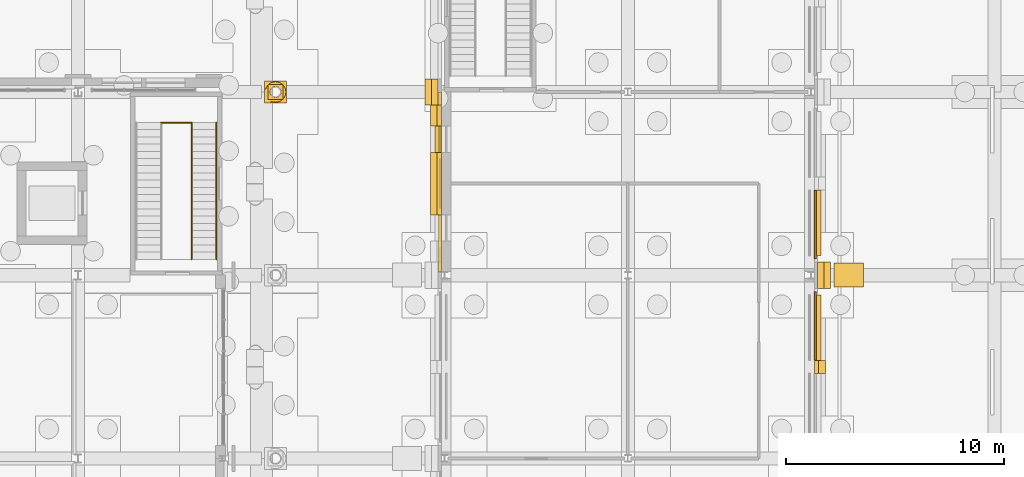
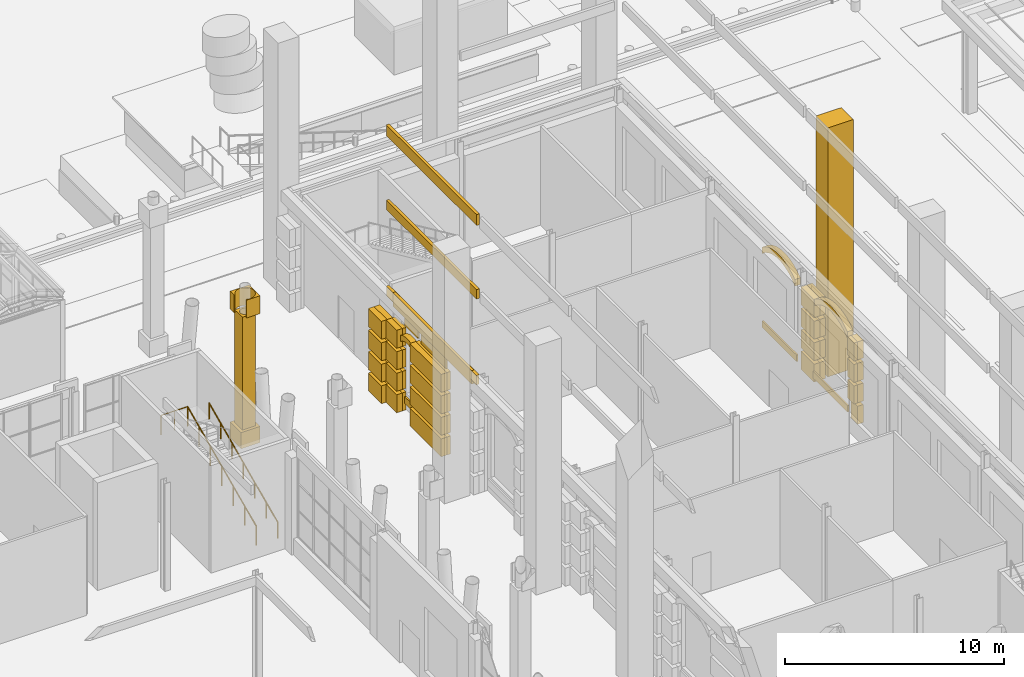
# One storey, part 154 of 222: 55 coverings, 3 railings.
"""IFC4 building model written with IfcOpenShell, lengths in metres."""

from ifc_helpers import new_model, si_unit, direction, frame, origin, origin_2d, place, context, subcontext, project, spatial, polyline, rectangle, circle, outline, extrude, material, layer, layer_set, type_object, element, save


model = new_model("IFC4")

# Units and contexts
model_context = context("Model", 3, precision=1e-05, world=origin(), true_north=direction((0.0, 1.0)))
body_context = subcontext(model_context, "Body", "Model", "MODEL_VIEW")
ifc_project = project(units=[si_unit("LENGTHUNIT", "METRE"), si_unit("AREAUNIT", "SQUARE_METRE"), si_unit("VOLUMEUNIT", "CUBIC_METRE"), si_unit("PLANEANGLEUNIT", "RADIAN"), si_unit("MASSUNIT", "GRAM", prefix="KILO")], contexts=[model_context])

# Site, building, storey
site_placement = place(None, origin())
site = spatial("IfcSite", under=ifc_project, at=site_placement, CompositionType="ELEMENT")
building_placement = place(site_placement, origin())
building = spatial("IfcBuilding", under=site, at=building_placement, Name="Sava Quay Ferry Terminal", CompositionType="ELEMENT")
storey_placement = place(building_placement, origin())
storey = spatial("IfcBuildingStorey", under=building, at=storey_placement, Name="L00", CompositionType="ELEMENT", Elevation=0.0)

# Coverings
ifc_material_1 = material(Name="Limestone Mutalj", Category="masonry")
ifc_layer_1 = layer(ifc_material_1, 0.300048828125)
ifc_layer_set_1 = layer_set([ifc_layer_1], Name="Limestone Mutalj")
covering_type_1 = type_object("IfcCoveringType", Name="Arch band 280", PredefinedType="MOLDING", material=ifc_layer_set_1)
covering_1_placement = place(storey_placement, frame((109.64990234375, 88.5, 4.5), z_axis=(1.0, 0.0, 0.0), x_axis=(0.0, 0.782171011383, 0.623063808091)))
element("IfcCovering", 1, at=covering_1_placement, inside=storey, type_object=covering_type_1, Name="Arch band", PredefinedType="MOLDING", context=body_context, shape_type="SweptSolid", body=[
    extrude(outline(polyline([(0.0, 0.0), (0.38361026394291897, 0.0), (0.7217380868167081, -0.05709695615317717), (1.0251448024033882, -0.15738965346254868), (1.2993842465178647, -0.29468969183758004), (1.5471556480034832, -0.4652167214188082), (1.768763237235288, -0.6685888227670815), (1.9639027838382344, -0.9051879153215514), (2.1294931395298256, -1.178490118566637), (2.2607443073734594, -1.4952922933429613), (2.3465130341479634, -1.8691914242724625), (2.5760548521189226, -1.5810332074325149), (2.4648828890282157, -1.2390243496721793), (2.318876547994931, -0.9407452676947119), (2.144615626614576, -0.6783277684654494), (1.9447605091984421, -0.4476484272178306), (1.7214796529038934, -0.24637688278489167), (1.475381518481019, -0.07374929628832916), (1.2058576451797298, 0.06947049339355327), (0.9111214952818136, 0.18064789471874781), (0.5877488455976752, 0.2562679436707819), (0.22954181797095916, 0.2881582168399477), (0.0, 0.0)])), origin(), (0.0, 0.0, -1.0), 0.300048828125),
])
covering_2_placement = place(storey_placement, frame((109.64990234375, 93.300048828125, 4.5), z_axis=(1.0, 0.0, 0.0), x_axis=(0.0, 0.782171011383, 0.623063808091)))
element("IfcCovering", 2, at=covering_2_placement, inside=storey, type_object=covering_type_1, Name="Arch band", PredefinedType="MOLDING", context=body_context, shape_type="SweptSolid", body=[
    extrude(outline(polyline([(0.0, 0.0), (0.38361026394291897, 0.0), (0.7215471270971323, -0.056944840965655), (1.0251448024033882, -0.15738965346254868), (1.2993842465178647, -0.29468969183758004), (1.5471556480034832, -0.4652167214188082), (1.768763237235288, -0.6685888227670815), (1.9637118241186586, -0.9050358001340293), (2.1294931395298256, -1.178490118566637), (2.2607443073734594, -1.4952922933429613), (2.3465130341479634, -1.8691914242724625), (2.5760548521189226, -1.5810332074325149), (2.4648828890282157, -1.2390243496721793), (2.318876547994931, -0.9407452676947119), (2.144424666895, -0.6781756532779273), (1.9447605091984421, -0.4476484272178306), (1.7214796529038934, -0.24637688278489167), (1.475381518481019, -0.07374929628832916), (1.2058576451797298, 0.06947049339355327), (0.9109305355622378, 0.18080000990627), (0.5877488455976752, 0.2562679436707819), (0.22954181797095916, 0.2881582168399477), (0.0, 0.0)])), origin(), (0.0, 0.0, -1.0), 0.300048828125),
])
covering_3_placement = place(storey_placement, frame((92.25, 98.03125, 3.89990234375), z_axis=(1.0, 0.0, 0.0), x_axis=(0.0, 0.766042844353, 0.642789515017)))
element("IfcCovering", 3, at=covering_3_placement, inside=storey, type_object=covering_type_1, Name="Arch band", PredefinedType="MOLDING", context=body_context, shape_type="SweptSolid", body=[
    extrude(outline(polyline([(0.0, 0.0), (0.1564834757725232, 0.0), (0.29290987034562144, -0.02428279209876255), (0.4140838634817109, -0.06636278232810475), (0.522890396081421, -0.12356147789515273), (0.6202108720586751, -0.19406883930165053), (0.706733197838947, -0.2778246842578833), (0.781769466996763, -0.374889195053566), (0.8444382756181996, -0.4870724111869544), (0.8918546828026273, -0.6170528254509224), (0.9192140087876302, -0.771316031813653), (1.14849024937354, -0.4980766285911245), (1.098846716569099, -0.3703705716175788), (1.0380911714997962, -0.2562870425513622), (0.9674188801474346, -0.15364195753662468), (0.8881454730732465, -0.0616270455684631), (0.8002107679875174, 0.020445599778596002), (0.7043026713157206, 0.09263616079426751), (0.5997332766323826, 0.15488445518883656), (0.48656276622721817, 0.20650257653682963), (0.3634755095389949, 0.24668225383334366), (0.2292762405859099, 0.27323940322252854), (0.0, 0.0)])), origin(), (0.0, 0.0, -1.0), 0.300048828125),
])

# Railings
ifc_material_2 = material(Name="Steel S355", Category="steel")
railing_type_1 = type_object("IfcRailingType", Name="Guard 1100", PredefinedType="GUARDRAIL", material=ifc_material_2)
railing_1_placement = place(storey_placement, frame((80.800048828125, 93.1298828125, 0.14990234375)))
element("IfcRailing", 4, at=railing_1_placement, inside=storey, type_object=railing_type_1, Name="Guard at stair well ST-D6 L00", PredefinedType="GUARDRAIL", context=body_context, shape_type="SweptSolid", body=[
    extrude(circle(Radius=0.02392578125, at=origin_2d()), frame((0.0, 0.0, 1.076171875), z_axis=(0.0, 0.910361621584, 0.413813627068), x_axis=(-1.0, 0.0, 0.0)), (0.0, 0.0, 1.0), 6.887451171875),
    extrude(circle(Radius=0.02099609375, at=origin_2d()), origin(), (0.0, 0.0, 1.0), 1.052001953125),
    extrude(circle(Radius=0.02099609375, at=origin_2d()), frame((0.0, 1.044921875, 0.47509765625)), (0.0, 0.0, 1.0), 1.052001953125),
    extrude(circle(Radius=0.02099609375, at=origin_2d()), frame((0.0, 2.090087890625, 0.949951171875)), (0.0, 0.0, 1.0), 1.052001953125),
    extrude(circle(Radius=0.02099609375, at=origin_2d()), frame((0.0, 3.135009765625, 1.425048828125)), (0.0, 0.0, 1.0), 1.052001953125),
    extrude(circle(Radius=0.02099609375, at=origin_2d()), frame((0.0, 4.179931640625, 1.900146484375)), (0.0, 0.0, 1.0), 1.052001953125),
    extrude(circle(Radius=0.02099609375, at=origin_2d()), frame((0.0, 5.22509765625, 2.375)), (0.0, 0.0, 1.0), 1.052001953125),
    extrude(circle(Radius=0.02099609375, at=origin_2d()), frame((0.0, 6.27001953125, 2.85009765625)), (0.0, 0.0, 1.0), 1.052001953125),
])
railing_2_placement = place(storey_placement, frame((79.39990234375, 99.39990234375, 3.0)))
element("IfcRailing", 5, at=railing_2_placement, inside=storey, type_object=railing_type_1, Name="Guard at half landing ST-D6 L00", PredefinedType="GUARDRAIL", context=body_context, shape_type="SweptSolid", body=[
    extrude(circle(Radius=0.02392578125, at=origin_2d()), frame((0.0, 0.0, 1.076171875), z_axis=(1.0, 0.0, 0.0), x_axis=(0.0, 1.0, 0.0)), (0.0, 0.0, 1.0), 1.400146484375),
    extrude(circle(Radius=0.02099609375, at=origin_2d()), origin(), (0.0, 0.0, 1.0), 1.052001953125),
    extrude(circle(Radius=0.02099609375, at=origin_2d()), frame((0.7001953125, 0.0, 0.0)), (0.0, 0.0, 1.0), 1.052001953125),
    extrude(circle(Radius=0.02099609375, at=origin_2d()), frame((1.400146484375, 0.0, 0.0)), (0.0, 0.0, 1.0), 1.052001953125),
])

# Coverings
ifc_material_3 = material(Name="Limestone Mutalj", Category="masonry")
ifc_layer_2 = layer(ifc_material_3, 0.080078125)
ifc_layer_set_2 = layer_set([ifc_layer_2], Name="Limestone Mutalj")
covering_type_2 = type_object("IfcCoveringType", Name="Light stone cladding 80", PredefinedType="CLADDING", material=ifc_layer_set_2)
for number, where, z_axis, x_axis, name in (
    (6, (109.389892578125, 90.074951171875, 0.3798828125), (0.0, 0.0, 1.0), (1.0, 0.0, 0.0), "Light stone cladding"),
    (7, (109.389892578125, 94.72509765625, 0.3798828125), (0.0, 0.0, 1.0), (1.0, 0.0, 0.0), "Light stone cladding"),
):
    element("IfcCovering", number, at=place(storey_placement, frame(where, z_axis=z_axis, x_axis=x_axis)), inside=storey, type_object=covering_type_2, Name=name, PredefinedType="CLADDING", context=body_context, shape_type="SweptSolid", body=[
        extrude(rectangle(XDim=0.080078125, YDim=3.14990234375, at=origin_2d()), origin(), (0.0, 0.0, 1.0), 0.3701171875),
    ])
covering_4_placement = place(storey_placement, frame((92.2099609375, 96.60009765625, 4.60009765625), z_axis=(0.0, 0.0, 1.0), x_axis=(1.0, 0.0, 0.0)))
element("IfcCovering", 8, at=covering_4_placement, inside=storey, type_object=covering_type_2, Name="Light stone cladding", PredefinedType="CLADDING", context=body_context, shape_type="SweptSolid", body=[
    extrude(rectangle(XDim=0.080078125, YDim=2.262451171875, at=origin_2d()), origin(), (0.0, 0.0, 1.0), 0.64990234375),
])
covering_5_placement = place(storey_placement, frame((92.2099609375, 98.631103515625, 0.3798828125), z_axis=(0.0, 0.0, 1.0), x_axis=(1.0, 0.0, 0.0)))
element("IfcCovering", 9, at=covering_5_placement, inside=storey, type_object=covering_type_2, Name="Light stone cladding", PredefinedType="CLADDING", context=body_context, shape_type="SweptSolid", body=[
    extrude(rectangle(XDim=0.080078125, YDim=1.199951171875, at=origin_2d()), origin(), (0.0, 0.0, 1.0), 0.3701171875),
])
covering_6_placement = place(storey_placement, frame((92.2099609375, 98.631103515625, 4.72998046875), z_axis=(0.0, 0.0, 1.0), x_axis=(1.0, 0.0, 0.0)))
element("IfcCovering", 10, at=covering_6_placement, inside=storey, type_object=covering_type_2, Name="Light stone cladding", PredefinedType="CLADDING", context=body_context, shape_type="SweptSolid", body=[
    extrude(rectangle(XDim=0.080078125, YDim=1.199951171875, at=origin_2d()), origin(), (0.0, 0.0, 1.0), 0.52001953125),
])
ifc_material_4 = material(Name="Limestone Mutalj", Category="masonry")
ifc_layer_3 = layer(ifc_material_4, 0.14990234375)
ifc_layer_set_3 = layer_set([ifc_layer_3], Name="Limestone Mutalj")
covering_type_3 = type_object("IfcCoveringType", Name="Limestone string course 150", PredefinedType="CLADDING", material=ifc_layer_set_3)
covering_7_placement = place(storey_placement, frame((0.0, 0.0, 5.25)))
element("IfcCovering", 11, at=covering_7_placement, inside=storey, type_object=covering_type_3, Name="String course O-W", PredefinedType="CLADDING", context=body_context, shape_type="SweptSolid", body=[
    extrude(outline(polyline([(92.25, 93.0), (92.25, 100.199951171875), (92.10009765625, 100.199951171875), (92.10009765625, 93.0), (92.25, 93.0)])), origin(), (0.0, 0.0, 1.0), 0.75),
])
ifc_material_5 = material(Name="Limestone Mutalj", Category="masonry")
ifc_layer_4 = layer(ifc_material_5, 1.35009765625)
ifc_layer_set_4 = layer_set([ifc_layer_4], Name="Limestone Mutalj")
covering_type_4 = type_object("IfcCoveringType", Name="Portico pier 1100", PredefinedType="CLADDING", material=ifc_layer_set_4)
covering_8_placement = place(storey_placement, frame((110.925048828125, 92.39990234375, 0.0), z_axis=(0.0, 0.0, 1.0), x_axis=(1.0, 0.0, 0.0)))
element("IfcCovering", 12, at=covering_8_placement, inside=storey, type_object=covering_type_4, Name="Portico pier", PredefinedType="CLADDING", context=body_context, shape_type="SweptSolid", body=[
    extrude(rectangle(XDim=1.35009765625, YDim=1.10009765625, at=origin_2d()), origin(), (0.0, 0.0, 1.0), 13.89990234375),
])
ifc_material_6 = material(Name="Limestone Mutalj", Category="masonry")
ifc_layer_5 = layer(ifc_material_6, 1.0)
ifc_layer_set_5 = layer_set([ifc_layer_5], Name="Limestone Mutalj")
covering_type_5 = type_object("IfcCoveringType", Name="Post pier capital 1000", PredefinedType="MOLDING", material=ifc_layer_set_5)
covering_9_placement = place(storey_placement, frame((0.0, 0.0, 7.199951171875)))
element("IfcCovering", 13, at=covering_9_placement, inside=storey, type_object=covering_type_5, Name="Post pier capital", PredefinedType="MOLDING", context=body_context, shape_type="SweptSolid", body=[
    extrude(outline(polyline([(85.14990234375, 101.300048828125), (84.14990234375, 101.300048828125), (84.14990234375, 100.945068359375), (84.178955078125, 100.93505859375), (84.197998046875, 100.926025390625), (84.216064453125, 100.98095703125), (84.236083984375, 101.02197265625), (84.259033203125, 101.06005859375), (84.287109375, 101.09912109375), (84.318115234375, 101.133056640625), (84.35302734375, 101.1640625), (84.387939453125, 101.18994140625), (84.427978515625, 101.214111328125), (84.470947265625, 101.235107421875), (84.514892578125, 101.25), (84.556884765625, 101.260986328125), (84.60302734375, 101.26806640625), (84.64892578125, 101.27001953125), (84.697021484375, 101.26806640625), (84.742919921875, 101.260986328125), (84.784912109375, 101.25), (84.8310546875, 101.23388671875), (84.8720703125, 101.214111328125), (84.912109375, 101.18994140625), (84.947021484375, 101.1640625), (84.98193359375, 101.133056640625), (85.012939453125, 101.09912109375), (85.0400390625, 101.06201171875), (85.06396484375, 101.02197265625), (85.083984375, 100.98095703125), (85.10009765625, 100.93505859375), (85.111083984375, 100.89306640625), (85.117919921875, 100.846923828125), (85.1201171875, 100.799072265625), (85.117919921875, 100.7548828125), (85.111083984375, 100.708984375), (85.10009765625, 100.6650390625), (85.083984375, 100.618896484375), (85.06396484375, 100.577880859375), (85.041015625, 100.5400390625), (85.013916015625, 100.5029296875), (84.98193359375, 100.467041015625), (84.947021484375, 100.43603515625), (84.912109375, 100.409912109375), (84.87109375, 100.385009765625), (84.8310546875, 100.365966796875), (84.787109375, 100.35107421875), (84.740966796875, 100.339111328125), (84.695068359375, 100.33203125), (84.65087890625, 100.330078125), (84.60302734375, 100.33203125), (84.556884765625, 100.339111328125), (84.514892578125, 100.35009765625), (84.470947265625, 100.364990234375), (84.451904296875, 100.3740234375), (84.43505859375, 100.321044921875), (84.425048828125, 100.300048828125), (85.14990234375, 100.300048828125), (85.14990234375, 101.300048828125)])), origin(), (0.0, 0.0, 1.0), 1.0),
])
ifc_material_7 = material(Name="Limestone Mutalj", Category="masonry")
ifc_layer_6 = layer(ifc_material_7, 1.0)
ifc_layer_set_6 = layer_set([ifc_layer_6], Name="Limestone Mutalj")
covering_type_6 = type_object("IfcCoveringType", Name="Post pier plinth 1000", PredefinedType="MOLDING", material=ifc_layer_set_6)
covering_10_placement = place(storey_placement, origin())
element("IfcCovering", 14, at=covering_10_placement, inside=storey, type_object=covering_type_6, Name="Post pier plinth", PredefinedType="MOLDING", context=body_context, shape_type="SweptSolid", body=[
    extrude(outline(polyline([(84.14990234375, 100.300048828125), (85.14990234375, 100.300048828125), (85.14990234375, 101.300048828125), (84.14990234375, 101.300048828125), (84.14990234375, 100.300048828125)]), holes=[polyline([(84.89990234375, 100.85009765625), (84.905029296875, 100.800048828125), (84.89990234375, 100.75), (84.885986328125, 100.701904296875), (84.862060546875, 100.657958984375), (84.830078125, 100.6201171875), (84.7919921875, 100.587890625), (84.748046875, 100.56396484375), (84.699951171875, 100.550048828125), (84.64990234375, 100.544921875), (84.60009765625, 100.550048828125), (84.552001953125, 100.56396484375), (84.508056640625, 100.587890625), (84.469970703125, 100.6201171875), (84.43798828125, 100.657958984375), (84.4140625, 100.701904296875), (84.39990234375, 100.75), (84.39501953125, 100.800048828125), (84.39990234375, 100.85009765625), (84.4140625, 100.89794921875), (84.43798828125, 100.94189453125), (84.469970703125, 100.97998046875), (84.508056640625, 101.011962890625), (84.552001953125, 101.035888671875), (84.60009765625, 101.050048828125), (84.64990234375, 101.054931640625), (84.699951171875, 101.050048828125), (84.748046875, 101.035888671875), (84.7919921875, 101.011962890625), (84.830078125, 100.97998046875), (84.862060546875, 100.94189453125), (84.885986328125, 100.89794921875), (84.89990234375, 100.85009765625)])]), origin(), (0.0, 0.0, 1.0), 0.89990234375),
])
ifc_material_8 = material(Name="Limestone Mutalj", Category="masonry")
ifc_layer_7 = layer(ifc_material_8, 0.699951171875)
ifc_layer_set_7 = layer_set([ifc_layer_7], Name="Limestone Mutalj")
covering_type_7 = type_object("IfcCoveringType", Name="Post pier shaft 700", PredefinedType="CLADDING", material=ifc_layer_set_7)
covering_11_placement = place(storey_placement, frame((0.0, 0.0, 0.89990234375)))
element("IfcCovering", 15, at=covering_11_placement, inside=storey, type_object=covering_type_7, Name="Post pier shaft", PredefinedType="CLADDING", context=body_context, shape_type="SweptSolid", body=[
    extrude(outline(polyline([(84.300048828125, 100.449951171875), (85.0, 100.449951171875), (85.0, 101.14990234375), (84.300048828125, 101.14990234375), (84.300048828125, 100.449951171875)]), holes=[polyline([(84.89990234375, 100.85009765625), (84.905029296875, 100.800048828125), (84.89990234375, 100.75), (84.885986328125, 100.701904296875), (84.862060546875, 100.657958984375), (84.830078125, 100.6201171875), (84.7919921875, 100.587890625), (84.748046875, 100.56396484375), (84.699951171875, 100.550048828125), (84.64990234375, 100.544921875), (84.60009765625, 100.550048828125), (84.552001953125, 100.56396484375), (84.508056640625, 100.587890625), (84.469970703125, 100.6201171875), (84.43798828125, 100.657958984375), (84.4140625, 100.701904296875), (84.39990234375, 100.75), (84.39501953125, 100.800048828125), (84.39990234375, 100.85009765625), (84.4140625, 100.89794921875), (84.43798828125, 100.94189453125), (84.469970703125, 100.97998046875), (84.508056640625, 101.011962890625), (84.552001953125, 101.035888671875), (84.60009765625, 101.050048828125), (84.64990234375, 101.054931640625), (84.699951171875, 101.050048828125), (84.748046875, 101.035888671875), (84.7919921875, 101.011962890625), (84.830078125, 100.97998046875), (84.862060546875, 100.94189453125), (84.885986328125, 100.89794921875), (84.89990234375, 100.85009765625)])]), origin(), (0.0, 0.0, 1.0), 6.300048828125),
])
ifc_material_9 = material(Name="Limestone Mutalj", Category="masonry")
ifc_layer_8 = layer(ifc_material_9, 0.300048828125)
ifc_layer_set_8 = layer_set([ifc_layer_8], Name="Limestone Mutalj")
covering_type_8 = type_object("IfcCoveringType", Name="Rusticated course deepening 300", PredefinedType="CLADDING", material=ifc_layer_set_8)
for number, where, z_axis, x_axis, name in (
    (16, (109.949951171875, 92.39990234375, 0.0), (0.0, 0.0, 1.0), (1.0, 0.0, 0.0), "Rusticated course deepening"),
    (17, (109.949951171875, 92.39990234375, 1.199951171875), (0.0, 0.0, 1.0), (1.0, 0.0, 0.0), "Rusticated course deepening"),
    (18, (109.949951171875, 92.39990234375, 2.39990234375), (0.0, 0.0, 1.0), (1.0, 0.0, 0.0), "Rusticated course deepening"),
    (19, (109.949951171875, 92.39990234375, 3.60009765625), (0.0, 0.0, 1.0), (1.0, 0.0, 0.0), "Rusticated course deepening"),
    (20, (91.64990234375, 100.800048828125, 0.0), (0.0, 0.0, 1.0), (1.0, 0.0, 0.0), "Rusticated course deepening"),
    (21, (91.64990234375, 100.800048828125, 1.199951171875), (0.0, 0.0, 1.0), (1.0, 0.0, 0.0), "Rusticated course deepening"),
    (22, (91.64990234375, 100.800048828125, 2.39990234375), (0.0, 0.0, 1.0), (1.0, 0.0, 0.0), "Rusticated course deepening"),
    (23, (91.64990234375, 100.800048828125, 3.60009765625), (0.0, 0.0, 1.0), (1.0, 0.0, 0.0), "Rusticated course deepening"),
):
    element("IfcCovering", number, at=place(storey_placement, frame(where, z_axis=z_axis, x_axis=x_axis)), inside=storey, type_object=covering_type_8, Name=name, PredefinedType="CLADDING", context=body_context, shape_type="SweptSolid", body=[
        extrude(rectangle(XDim=0.300048828125, YDim=1.199951171875, at=origin_2d()), origin(), (0.0, 0.0, 1.0), 1.0),
    ])
for number, where, z_axis, x_axis, name in (
    (24, (109.699951171875, 88.199951171875, 0.0), (0.0, 0.0, 1.0), (1.0, 0.0, 0.0), "Rusticated course deepening"),
    (25, (109.699951171875, 88.199951171875, 1.199951171875), (0.0, 0.0, 1.0), (1.0, 0.0, 0.0), "Rusticated course deepening"),
    (26, (109.699951171875, 88.199951171875, 2.39990234375), (0.0, 0.0, 1.0), (1.0, 0.0, 0.0), "Rusticated course deepening"),
    (27, (109.699951171875, 88.199951171875, 3.60009765625), (0.0, 0.0, 1.0), (1.0, 0.0, 0.0), "Rusticated course deepening"),
):
    element("IfcCovering", number, at=place(storey_placement, frame(where, z_axis=z_axis, x_axis=x_axis)), inside=storey, type_object=covering_type_8, Name=name, PredefinedType="CLADDING", context=body_context, shape_type="SweptSolid", body=[
        extrude(rectangle(XDim=0.300048828125, YDim=0.60009765625, at=origin_2d()), origin(), (0.0, 0.0, 1.0), 1.0),
    ])
covering_12_placement = place(storey_placement, frame((91.89990234375, 96.60009765625, 0.0), z_axis=(0.0, 0.0, 1.0), x_axis=(1.0, 0.0, 0.0)))
element("IfcCovering", 28, at=covering_12_placement, inside=storey, type_object=covering_type_8, Name="Rusticated course deepening", PredefinedType="CLADDING", context=body_context, shape_type="SweptSolid", body=[
    extrude(rectangle(XDim=0.300048828125, YDim=2.862548828125, at=origin_2d()), origin(), (0.0, 0.0, 1.0), 1.0),
])
covering_13_placement = place(storey_placement, frame((91.89990234375, 99.715576171875, 0.0), z_axis=(0.0, 0.0, 1.0), x_axis=(1.0, 0.0, 0.0)))
element("IfcCovering", 29, at=covering_13_placement, inside=storey, type_object=covering_type_8, Name="Rusticated course deepening", PredefinedType="CLADDING", context=body_context, shape_type="SweptSolid", body=[
    extrude(rectangle(XDim=0.300048828125, YDim=0.96875, at=origin_2d()), origin(), (0.0, 0.0, 1.0), 1.0),
])
covering_14_placement = place(storey_placement, frame((91.89990234375, 96.60009765625, 1.199951171875), z_axis=(0.0, 0.0, 1.0), x_axis=(1.0, 0.0, 0.0)))
element("IfcCovering", 30, at=covering_14_placement, inside=storey, type_object=covering_type_8, Name="Rusticated course deepening", PredefinedType="CLADDING", context=body_context, shape_type="SweptSolid", body=[
    extrude(rectangle(XDim=0.300048828125, YDim=2.862548828125, at=origin_2d()), origin(), (0.0, 0.0, 1.0), 1.0),
])
covering_15_placement = place(storey_placement, frame((91.89990234375, 99.715576171875, 1.199951171875), z_axis=(0.0, 0.0, 1.0), x_axis=(1.0, 0.0, 0.0)))
element("IfcCovering", 31, at=covering_15_placement, inside=storey, type_object=covering_type_8, Name="Rusticated course deepening", PredefinedType="CLADDING", context=body_context, shape_type="SweptSolid", body=[
    extrude(rectangle(XDim=0.300048828125, YDim=0.96875, at=origin_2d()), origin(), (0.0, 0.0, 1.0), 1.0),
])
covering_16_placement = place(storey_placement, frame((91.89990234375, 96.60009765625, 2.39990234375), z_axis=(0.0, 0.0, 1.0), x_axis=(1.0, 0.0, 0.0)))
element("IfcCovering", 32, at=covering_16_placement, inside=storey, type_object=covering_type_8, Name="Rusticated course deepening", PredefinedType="CLADDING", context=body_context, shape_type="SweptSolid", body=[
    extrude(rectangle(XDim=0.300048828125, YDim=2.862548828125, at=origin_2d()), origin(), (0.0, 0.0, 1.0), 1.0),
])
covering_17_placement = place(storey_placement, frame((91.89990234375, 99.715576171875, 2.39990234375), z_axis=(0.0, 0.0, 1.0), x_axis=(1.0, 0.0, 0.0)))
element("IfcCovering", 33, at=covering_17_placement, inside=storey, type_object=covering_type_8, Name="Rusticated course deepening", PredefinedType="CLADDING", context=body_context, shape_type="SweptSolid", body=[
    extrude(rectangle(XDim=0.300048828125, YDim=0.96875, at=origin_2d()), origin(), (0.0, 0.0, 1.0), 1.0),
])
covering_18_placement = place(storey_placement, frame((91.89990234375, 96.60009765625, 3.60009765625), z_axis=(0.0, 0.0, 1.0), x_axis=(1.0, 0.0, 0.0)))
element("IfcCovering", 34, at=covering_18_placement, inside=storey, type_object=covering_type_8, Name="Rusticated course deepening", PredefinedType="CLADDING", context=body_context, shape_type="SweptSolid", body=[
    extrude(rectangle(XDim=0.300048828125, YDim=2.862548828125, at=origin_2d()), origin(), (0.0, 0.0, 1.0), 1.0),
])
covering_19_placement = place(storey_placement, frame((91.89990234375, 99.715576171875, 3.60009765625), z_axis=(0.0, 0.0, 1.0), x_axis=(1.0, 0.0, 0.0)))
element("IfcCovering", 35, at=covering_19_placement, inside=storey, type_object=covering_type_8, Name="Rusticated course deepening", PredefinedType="CLADDING", context=body_context, shape_type="SweptSolid", body=[
    extrude(rectangle(XDim=0.300048828125, YDim=0.96875, at=origin_2d()), origin(), (0.0, 0.0, 1.0), 1.0),
])
ifc_material_10 = material(Name="Limestone Mutalj", Category="masonry")
ifc_layer_9 = layer(ifc_material_10, 0.300048828125)
ifc_layer_set_9 = layer_set([ifc_layer_9], Name="Limestone Mutalj")
covering_type_9 = type_object("IfcCoveringType", Name="Rusticated pier course 300", PredefinedType="CLADDING", material=ifc_layer_set_9)
for number, where, z_axis, x_axis, name in (
    (36, (109.64990234375, 92.39990234375, 0.0), (0.0, 0.0, 1.0), (1.0, 0.0, 0.0), "Rusticated pier course"),
    (37, (109.64990234375, 92.39990234375, 1.199951171875), (0.0, 0.0, 1.0), (1.0, 0.0, 0.0), "Rusticated pier course"),
    (38, (109.64990234375, 92.39990234375, 2.39990234375), (0.0, 0.0, 1.0), (1.0, 0.0, 0.0), "Rusticated pier course"),
    (39, (109.64990234375, 92.39990234375, 3.60009765625), (0.0, 0.0, 1.0), (1.0, 0.0, 0.0), "Rusticated pier course"),
    (40, (91.949951171875, 100.800048828125, 0.0), (0.0, 0.0, 1.0), (1.0, 0.0, 0.0), "Rusticated pier course"),
    (41, (91.949951171875, 100.800048828125, 1.199951171875), (0.0, 0.0, 1.0), (1.0, 0.0, 0.0), "Rusticated pier course"),
    (42, (91.949951171875, 100.800048828125, 2.39990234375), (0.0, 0.0, 1.0), (1.0, 0.0, 0.0), "Rusticated pier course"),
    (43, (91.949951171875, 100.800048828125, 3.60009765625), (0.0, 0.0, 1.0), (1.0, 0.0, 0.0), "Rusticated pier course"),
):
    element("IfcCovering", number, at=place(storey_placement, frame(where, z_axis=z_axis, x_axis=x_axis)), inside=storey, type_object=covering_type_9, Name=name, PredefinedType="CLADDING", context=body_context, shape_type="SweptSolid", body=[
        extrude(rectangle(XDim=0.300048828125, YDim=1.199951171875, at=origin_2d()), origin(), (0.0, 0.0, 1.0), 1.0),
    ])
ifc_material_11 = material(Name="Limestone Mutalj", Category="masonry")
ifc_layer_10 = layer(ifc_material_11, 0.199951171875)
ifc_layer_set_10 = layer_set([ifc_layer_10], Name="Limestone Mutalj")
covering_type_10 = type_object("IfcCoveringType", Name="Rusticated wall course 200", PredefinedType="CLADDING", material=ifc_layer_set_10)
for number, where, z_axis, x_axis, name in (
    (44, (109.449951171875, 88.199951171875, 1.199951171875), (0.0, 0.0, 1.0), (1.0, 0.0, 0.0), "Rusticated wall course"),
    (45, (109.449951171875, 88.199951171875, 2.39990234375), (0.0, 0.0, 1.0), (1.0, 0.0, 0.0), "Rusticated wall course"),
    (46, (109.449951171875, 88.199951171875, 3.60009765625), (0.0, 0.0, 1.0), (1.0, 0.0, 0.0), "Rusticated wall course"),
):
    element("IfcCovering", number, at=place(storey_placement, frame(where, z_axis=z_axis, x_axis=x_axis)), inside=storey, type_object=covering_type_10, Name=name, PredefinedType="CLADDING", context=body_context, shape_type="SweptSolid", body=[
        extrude(rectangle(XDim=0.199951171875, YDim=0.60009765625, at=origin_2d()), origin(), (0.0, 0.0, 1.0), 1.0),
    ])
covering_20_placement = place(storey_placement, frame((92.14990234375, 96.60009765625, 0.0), z_axis=(0.0, 0.0, 1.0), x_axis=(1.0, 0.0, 0.0)))
element("IfcCovering", 47, at=covering_20_placement, inside=storey, type_object=covering_type_10, Name="Rusticated wall course", PredefinedType="CLADDING", context=body_context, shape_type="SweptSolid", body=[
    extrude(rectangle(XDim=0.199951171875, YDim=2.862548828125, at=origin_2d()), origin(), (0.0, 0.0, 1.0), 1.0),
])
covering_21_placement = place(storey_placement, frame((92.14990234375, 99.715576171875, 0.0), z_axis=(0.0, 0.0, 1.0), x_axis=(1.0, 0.0, 0.0)))
element("IfcCovering", 48, at=covering_21_placement, inside=storey, type_object=covering_type_10, Name="Rusticated wall course", PredefinedType="CLADDING", context=body_context, shape_type="SweptSolid", body=[
    extrude(rectangle(XDim=0.199951171875, YDim=0.96875, at=origin_2d()), origin(), (0.0, 0.0, 1.0), 1.0),
])
covering_22_placement = place(storey_placement, frame((92.14990234375, 96.60009765625, 1.199951171875), z_axis=(0.0, 0.0, 1.0), x_axis=(1.0, 0.0, 0.0)))
element("IfcCovering", 49, at=covering_22_placement, inside=storey, type_object=covering_type_10, Name="Rusticated wall course", PredefinedType="CLADDING", context=body_context, shape_type="SweptSolid", body=[
    extrude(rectangle(XDim=0.199951171875, YDim=2.862548828125, at=origin_2d()), origin(), (0.0, 0.0, 1.0), 1.0),
])
covering_23_placement = place(storey_placement, frame((92.14990234375, 99.715576171875, 1.199951171875), z_axis=(0.0, 0.0, 1.0), x_axis=(1.0, 0.0, 0.0)))
element("IfcCovering", 50, at=covering_23_placement, inside=storey, type_object=covering_type_10, Name="Rusticated wall course", PredefinedType="CLADDING", context=body_context, shape_type="SweptSolid", body=[
    extrude(rectangle(XDim=0.199951171875, YDim=0.96875, at=origin_2d()), origin(), (0.0, 0.0, 1.0), 1.0),
])
covering_24_placement = place(storey_placement, frame((92.14990234375, 96.60009765625, 2.39990234375), z_axis=(0.0, 0.0, 1.0), x_axis=(1.0, 0.0, 0.0)))
element("IfcCovering", 51, at=covering_24_placement, inside=storey, type_object=covering_type_10, Name="Rusticated wall course", PredefinedType="CLADDING", context=body_context, shape_type="SweptSolid", body=[
    extrude(rectangle(XDim=0.199951171875, YDim=2.862548828125, at=origin_2d()), origin(), (0.0, 0.0, 1.0), 1.0),
])
covering_25_placement = place(storey_placement, frame((92.14990234375, 99.715576171875, 2.39990234375), z_axis=(0.0, 0.0, 1.0), x_axis=(1.0, 0.0, 0.0)))
element("IfcCovering", 52, at=covering_25_placement, inside=storey, type_object=covering_type_10, Name="Rusticated wall course", PredefinedType="CLADDING", context=body_context, shape_type="SweptSolid", body=[
    extrude(rectangle(XDim=0.199951171875, YDim=0.96875, at=origin_2d()), origin(), (0.0, 0.0, 1.0), 1.0),
])
covering_26_placement = place(storey_placement, frame((92.14990234375, 96.60009765625, 3.60009765625), z_axis=(0.0, 0.0, 1.0), x_axis=(1.0, 0.0, 0.0)))
element("IfcCovering", 53, at=covering_26_placement, inside=storey, type_object=covering_type_10, Name="Rusticated wall course", PredefinedType="CLADDING", context=body_context, shape_type="SweptSolid", body=[
    extrude(rectangle(XDim=0.199951171875, YDim=2.862548828125, at=origin_2d()), origin(), (0.0, 0.0, 1.0), 1.0),
])
covering_27_placement = place(storey_placement, frame((92.14990234375, 99.715576171875, 3.60009765625), z_axis=(0.0, 0.0, 1.0), x_axis=(1.0, 0.0, 0.0)))
element("IfcCovering", 54, at=covering_27_placement, inside=storey, type_object=covering_type_10, Name="Rusticated wall course", PredefinedType="CLADDING", context=body_context, shape_type="SweptSolid", body=[
    extrude(rectangle(XDim=0.199951171875, YDim=0.96875, at=origin_2d()), origin(), (0.0, 0.0, 1.0), 1.0),
])
ifc_material_12 = material(Name="Limestone Mutalj", Category="masonry")
ifc_layer_11 = layer(ifc_material_12, 0.14990234375)
ifc_layer_set_11 = layer_set([ifc_layer_11], Name="Limestone Mutalj")
covering_type_11 = type_object("IfcCoveringType", Name="Slab edge fascia 150", PredefinedType="CLADDING", material=ifc_layer_set_11)
covering_28_placement = place(storey_placement, frame((0.0, 0.0, 5.47998046875)))
element("IfcCovering", 55, at=covering_28_placement, inside=storey, type_object=covering_type_11, Name="Slab edge fascia", PredefinedType="CLADDING", context=body_context, shape_type="SweptSolid", body=[
    extrude(outline(polyline([(92.10205078125, 92.56005859375), (92.251953125, 92.56005859375), (92.251953125, 100.800048828125), (92.10205078125, 100.800048828125), (92.10205078125, 92.56005859375)])), origin(), (0.0, 0.0, 1.0), 0.52001953125),
])
covering_29_placement = place(storey_placement, frame((0.0, 0.0, 10.280029296875)))
element("IfcCovering", 56, at=covering_29_placement, inside=storey, type_object=covering_type_11, Name="Slab edge fascia", PredefinedType="CLADDING", context=body_context, shape_type="SweptSolid", body=[
    extrude(outline(polyline([(92.10205078125, 92.550048828125), (92.251953125, 92.550048828125), (92.251953125, 100.800048828125), (92.10205078125, 100.800048828125), (92.10205078125, 92.550048828125)])), origin(), (0.0, 0.0, 1.0), 0.52001953125),
])
covering_30_placement = place(storey_placement, frame((0.0, 0.0, 14.393310546875)))
element("IfcCovering", 57, at=covering_30_placement, inside=storey, type_object=covering_type_11, Name="Slab edge fascia", PredefinedType="CLADDING", context=body_context, shape_type="SweptSolid", body=[
    extrude(outline(polyline([(92.10205078125, 92.530029296875), (92.251953125, 92.530029296875), (92.251953125, 100.800048828125), (92.10205078125, 100.800048828125), (92.10205078125, 92.530029296875)])), origin(), (0.0, 0.0, 1.0), 0.606689453125),
])

# Railing
ifc_material_13 = material(Name="Steel S355", Category="steel")
railing_type_2 = type_object("IfcRailingType", Name="Stair handrail 900", PredefinedType="HANDRAIL", material=ifc_material_13)
railing_3_placement = place(storey_placement, frame((81.93994140625, 93.1298828125, 0.14990234375)))
element("IfcRailing", 58, at=railing_3_placement, inside=storey, type_object=railing_type_2, Name="Handrail ST-D6 L00", PredefinedType="HANDRAIL", context=body_context, shape_type="SweptSolid", body=[
    extrude(circle(Radius=0.02392578125, at=origin_2d()), frame((0.0, 0.0, 0.8759765625), z_axis=(0.0, 0.910361621584, 0.413813627068), x_axis=(-1.0, 0.0, 0.0)), (0.0, 0.0, 1.0), 6.887451171875),
    extrude(circle(Radius=0.02099609375, at=origin_2d()), origin(), (0.0, 0.0, 1.0), 0.851806640625),
    extrude(circle(Radius=0.02099609375, at=origin_2d()), frame((0.0, 1.044921875, 0.47509765625)), (0.0, 0.0, 1.0), 0.851806640625),
    extrude(circle(Radius=0.02099609375, at=origin_2d()), frame((0.0, 2.090087890625, 0.949951171875)), (0.0, 0.0, 1.0), 0.851806640625),
    extrude(circle(Radius=0.02099609375, at=origin_2d()), frame((0.0, 3.135009765625, 1.425048828125)), (0.0, 0.0, 1.0), 0.851806640625),
    extrude(circle(Radius=0.02099609375, at=origin_2d()), frame((0.0, 4.179931640625, 1.900146484375)), (0.0, 0.0, 1.0), 0.851806640625),
    extrude(circle(Radius=0.02099609375, at=origin_2d()), frame((0.0, 5.22509765625, 2.375)), (0.0, 0.0, 1.0), 0.851806640625),
    extrude(circle(Radius=0.02099609375, at=origin_2d()), frame((0.0, 6.27001953125, 2.85009765625)), (0.0, 0.0, 1.0), 0.851806640625),
])

save(model, "model.ifc")
